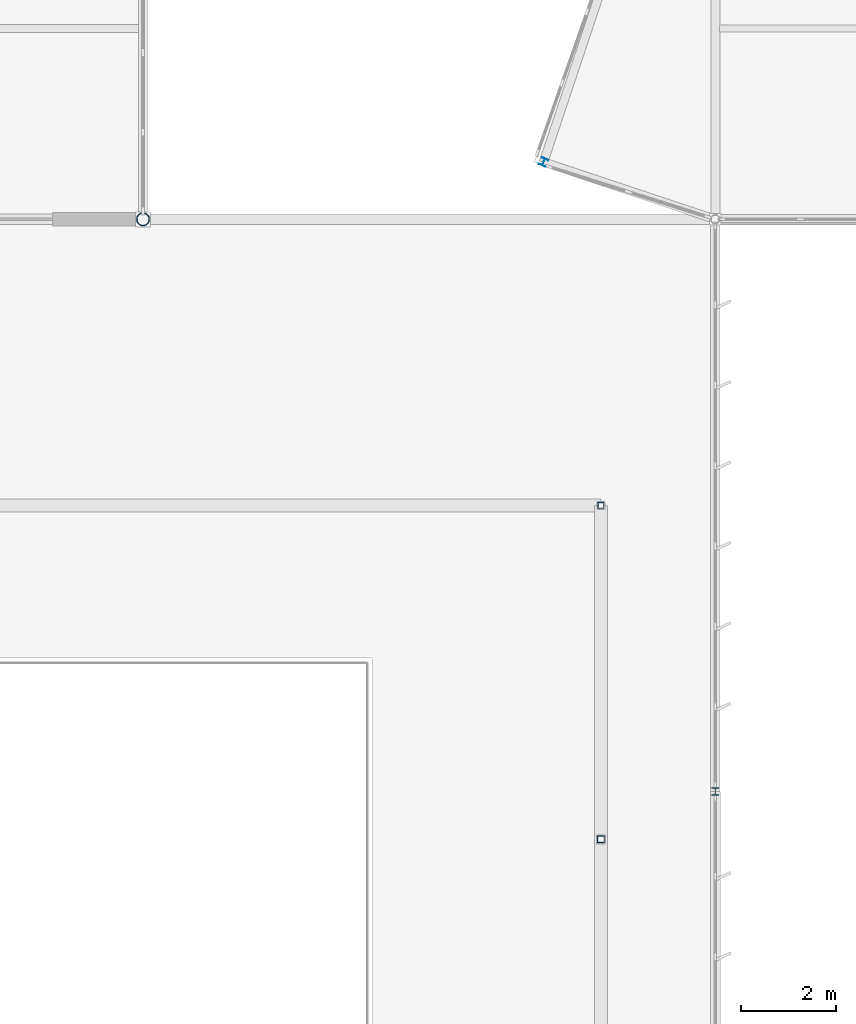
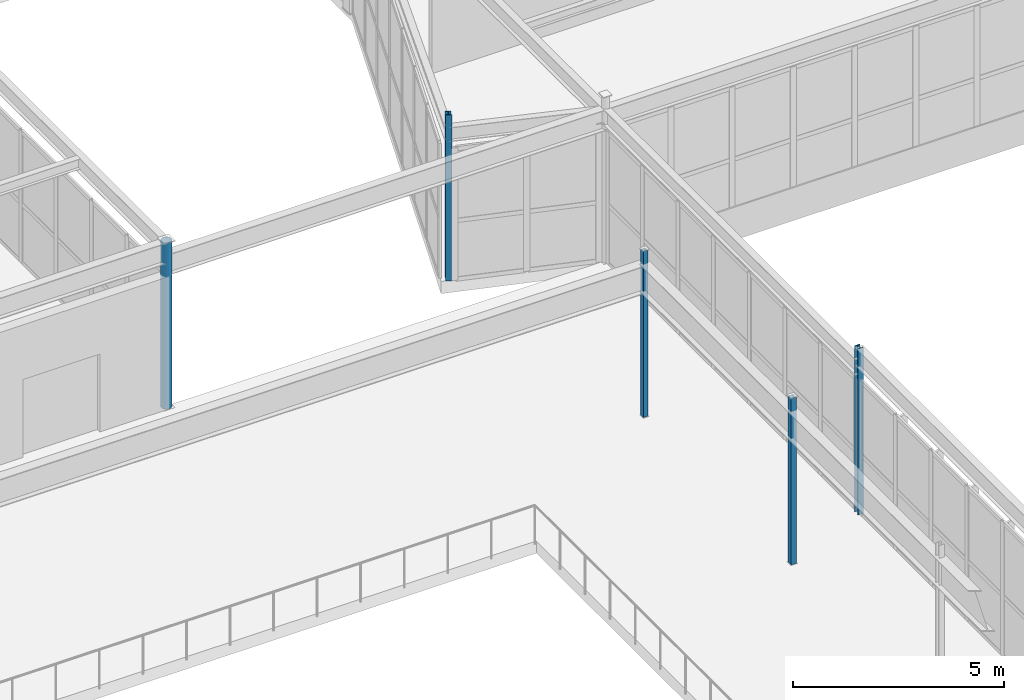
# One storey, part 44 of 186: 5 columns.
"""IFC4 building model written with IfcOpenShell, lengths in metres."""

from ifc_helpers import new_model, si_unit, direction, frame, origin, origin_2d, place, context, subcontext, project, spatial, hollow_rectangle, hollow_circle, i_section, extrude, material, material_profile, profile_set, type_object, element, save


model = new_model("IFC4")

# Units and contexts
model_context = context("Model", 3, precision=1e-05, world=origin(), true_north=direction((0.0, 1.0)))
body_context = subcontext(model_context, "Body", "Model", "MODEL_VIEW")
ifc_project = project(units=[si_unit("LENGTHUNIT", "METRE"), si_unit("AREAUNIT", "SQUARE_METRE"), si_unit("VOLUMEUNIT", "CUBIC_METRE"), si_unit("PLANEANGLEUNIT", "RADIAN"), si_unit("MASSUNIT", "GRAM", prefix="KILO")], contexts=[model_context])

# Site, building, storey
site_placement = place(None, origin())
site = spatial("IfcSite", under=ifc_project, at=site_placement, CompositionType="ELEMENT")
building_placement = place(site_placement, origin())
building = spatial("IfcBuilding", under=site, at=building_placement, Name="Tarnwether General Hospital", CompositionType="ELEMENT")
storey_placement = place(building_placement, frame((0.0, 0.0, 9.60009765625)))
storey = spatial("IfcBuildingStorey", under=building, at=storey_placement, Name="L02", CompositionType="ELEMENT", Elevation=9.60009765625)

# Columns
ifc_material_1 = material(Name="Steel Grade C350L0 (350 MPa)", Category="steel")
ifc_material_profile_1 = material_profile(ifc_material_1, hollow_circle(Radius=0.136474609375, WallThickness=0.0126953125, at=origin_2d()), Name="CHS273.1x12.7")
ifc_profile_set_1 = profile_set([ifc_material_profile_1], Name="Steel Grade C350L0 (350 MPa)")
column_type_1 = type_object("IfcColumnType", Name="COL-12", PredefinedType="COLUMN", material=ifc_profile_set_1)
column_1_placement = place(storey_placement, frame((132.0, 81.60009765625, 0.0), z_axis=(0.0, 0.0, 1.0), x_axis=(0.0, 1.0, 0.0)))
element("IfcColumn", 1, at=column_1_placement, inside=storey, type_object=column_type_1, Name="Column COLG-L02-13200_8160", PredefinedType="COLUMN", context=body_context, shape_type="SweptSolid", body=[
    extrude(hollow_circle(Radius=0.136474609375, WallThickness=0.0126953125, at=origin_2d()), origin(), (0.0, 0.0, 1.0), 4.7998046875),
])
ifc_material_2 = material(Name="Steel Grade 350 (350 MPa)", Category="steel")
ifc_material_profile_2 = material_profile(ifc_material_2, i_section(OverallWidth=0.154052734375, OverallDepth=0.162109375, WebThickness=0.008056640625, FlangeThickness=0.011474609375, at=origin_2d()), Name="150UC37.2")
ifc_profile_set_2 = profile_set([ifc_material_profile_2], Name="Steel Grade 350 (350 MPa)")
column_type_2 = type_object("IfcColumnType", Name="COL-28", PredefinedType="COLUMN", material=ifc_profile_set_2)
column_2_placement = place(storey_placement, frame((144.0, 69.60009765625, 0.0), z_axis=(0.0, 0.0, 1.0), x_axis=(1.0, 0.0, 0.0)))
element("IfcColumn", 2, at=column_2_placement, inside=storey, type_object=column_type_2, Name="Column COLG-L02-14400_6960", PredefinedType="COLUMN", context=body_context, shape_type="SweptSolid", body=[
    extrude(i_section(OverallWidth=0.154052734375, OverallDepth=0.162109375, WebThickness=0.008056640625, FlangeThickness=0.011474609375, at=origin_2d()), origin(), (0.0, 0.0, 1.0), 4.7998046875),
])
ifc_material_3 = material(Name="Steel Grade 350 (350 MPa)", Category="steel")
ifc_material_profile_3 = material_profile(ifc_material_3, i_section(OverallWidth=0.153076171875, OverallDepth=0.157958984375, WebThickness=0.006591796875, FlangeThickness=0.009521484375, at=origin_2d()), Name="150UC30.0")
ifc_profile_set_3 = profile_set([ifc_material_profile_3], Name="Steel Grade 350 (350 MPa)")
column_type_3 = type_object("IfcColumnType", Name="COL-31", PredefinedType="COLUMN", material=ifc_profile_set_3)
column_3_placement = place(storey_placement, frame((140.39990234375, 82.800048828125, 0.0), z_axis=(0.0, 0.0, 1.0), x_axis=(0.913545457643, -0.406736643076, 0.0)))
element("IfcColumn", 3, at=column_3_placement, inside=storey, type_object=column_type_3, Name="Column COLG-L02-14040_8280", PredefinedType="COLUMN", context=body_context, shape_type="SweptSolid", body=[
    extrude(i_section(OverallWidth=0.153076171875, OverallDepth=0.157958984375, WebThickness=0.006591796875, FlangeThickness=0.009521484375, at=origin_2d()), origin(), (0.0, 0.0, 1.0), 4.7998046875),
])
ifc_material_4 = material(Name="Steel Grade C350L0 (350 MPa)", Category="steel")
ifc_material_profile_4 = material_profile(ifc_material_4, hollow_rectangle(XDim=0.14990234375, YDim=0.14990234375, WallThickness=0.008056640625, at=origin_2d()), Name="SHS150x150x8")
ifc_profile_set_4 = profile_set([ifc_material_profile_4], Name="Steel Grade C350L0 (350 MPa)")
column_type_4 = type_object("IfcColumnType", Name="COL-33", PredefinedType="COLUMN", material=ifc_profile_set_4)
column_4_placement = place(storey_placement, frame((141.60009765625, 68.60009765625, 0.0), z_axis=(0.0, 0.0, 1.0), x_axis=(1.0, 0.0, 0.0)))
element("IfcColumn", 4, at=column_4_placement, inside=storey, type_object=column_type_4, Name="Column COLG-L02-14160_6860", PredefinedType="COLUMN", context=body_context, shape_type="SweptSolid", body=[
    extrude(hollow_rectangle(XDim=0.14990234375, YDim=0.14990234375, WallThickness=0.008056640625, at=origin_2d()), origin(), (0.0, 0.0, 1.0), 4.7998046875),
])
ifc_material_5 = material(Name="Steel Grade C350L0 (350 MPa)", Category="steel")
ifc_material_profile_5 = material_profile(ifc_material_5, hollow_rectangle(XDim=0.125, YDim=0.125, WallThickness=0.006103515625, at=origin_2d()), Name="SHS125x125x6")
ifc_profile_set_5 = profile_set([ifc_material_profile_5], Name="Steel Grade C350L0 (350 MPa)")
column_type_5 = type_object("IfcColumnType", Name="COL-34", PredefinedType="COLUMN", material=ifc_profile_set_5)
column_5_placement = place(storey_placement, frame((141.60009765625, 75.60009765625, 0.0), z_axis=(0.0, 0.0, 1.0), x_axis=(1.0, 0.0, 0.0)))
element("IfcColumn", 5, at=column_5_placement, inside=storey, type_object=column_type_5, Name="Column COLG-L02-14160_7560", PredefinedType="COLUMN", context=body_context, shape_type="SweptSolid", body=[
    extrude(hollow_rectangle(XDim=0.125, YDim=0.125, WallThickness=0.006103515625, at=origin_2d()), origin(), (0.0, 0.0, 1.0), 4.7998046875),
])

save(model, "model.ifc")
